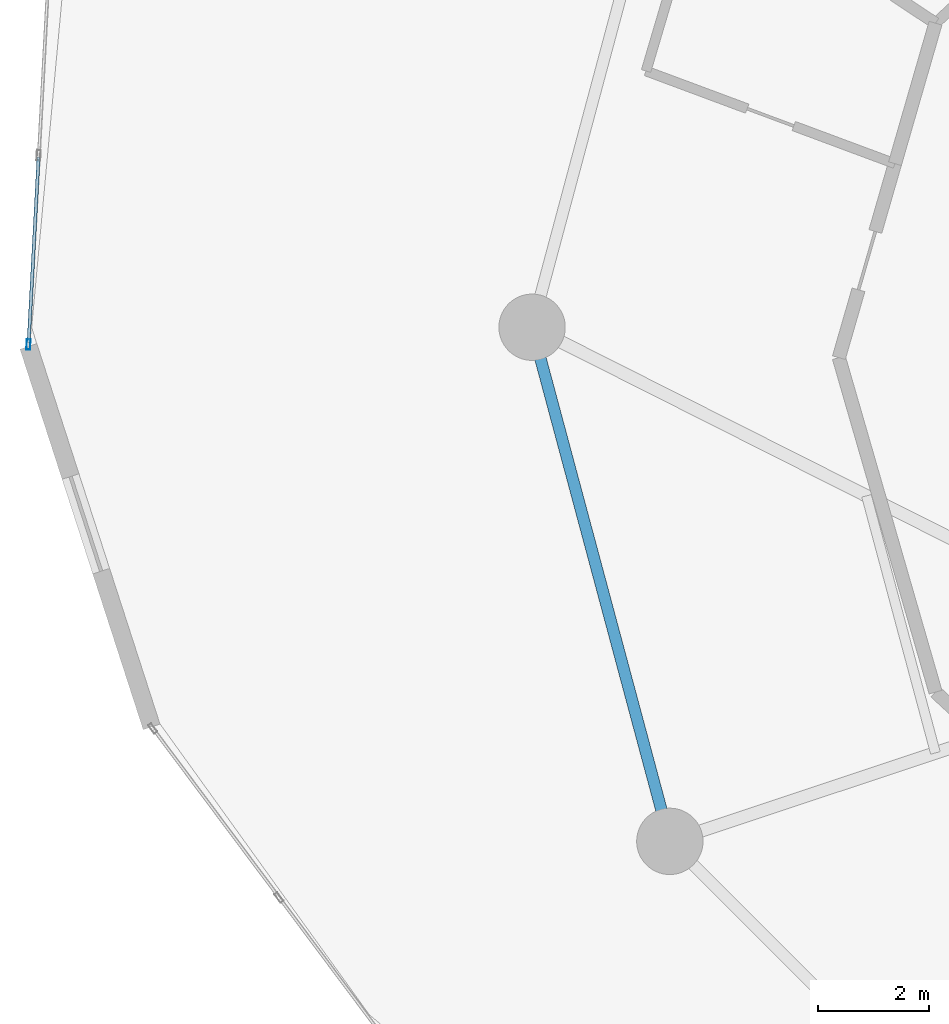
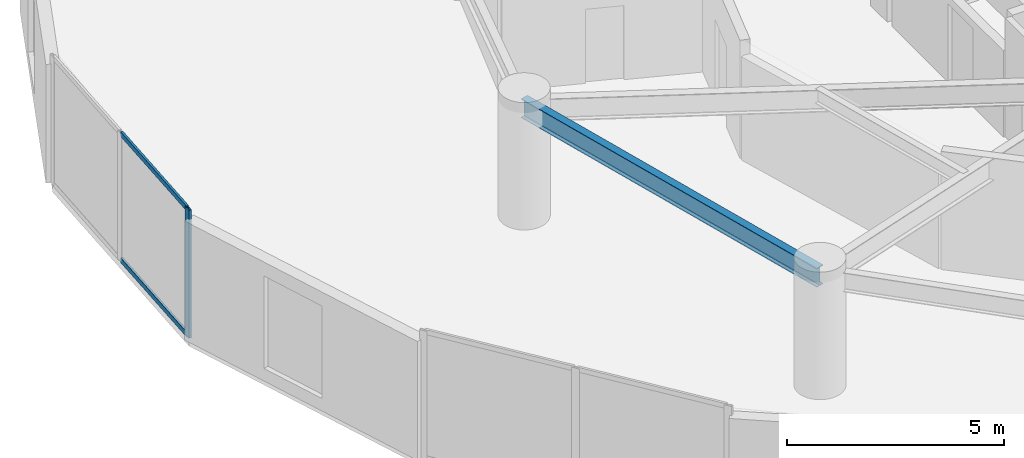
# One storey, part 6 of 25: 3 members, 1 beam, 1 element without a shape of its own.
"""IFC4 building model written with IfcOpenShell, lengths in metres."""

from ifc_helpers import new_model, si_unit, direction, frame, origin, origin_2d, place, context, subcontext, project, spatial, hollow_rectangle, i_section, extrude, source, transform, mapped, material, layer, layer_set, material_profile, profile_set, type_object, element, aggregate, save


model = new_model("IFC4")

# Units and contexts
model_context = context("Model", 3, precision=1e-05, world=origin(), true_north=direction((0.0, 1.0)))
body_context = subcontext(model_context, "Body", "Model", "MODEL_VIEW")
ifc_project = project(units=[si_unit("LENGTHUNIT", "METRE"), si_unit("AREAUNIT", "SQUARE_METRE"), si_unit("VOLUMEUNIT", "CUBIC_METRE"), si_unit("PLANEANGLEUNIT", "RADIAN"), si_unit("MASSUNIT", "GRAM", prefix="KILO")], contexts=[model_context])

# Site, building, storey
site_placement = place(None, origin())
site = spatial("IfcSite", under=ifc_project, at=site_placement, CompositionType="ELEMENT")
building_placement = place(site_placement, origin())
building = spatial("IfcBuilding", under=site, at=building_placement, Name="Solvirekh Grand Hotel", CompositionType="ELEMENT")
storey_placement = place(building_placement, frame((0.0, 0.0, 57.199951171875)))
storey = spatial("IfcBuildingStorey", under=building, at=storey_placement, Name="L13", CompositionType="ELEMENT", Elevation=57.199951171875)

# Beam
ifc_material_1 = material(Name="Steel S355", Category="steel")
ifc_material_profile_1 = material_profile(ifc_material_1, i_section(OverallWidth=0.208984375, OverallDepth=0.532958984375, WebThickness=0.010009765625, FlangeThickness=0.014892578125, FilletRadius=0.013916015625, at=origin_2d()), Name="W530X92")
ifc_profile_set_1 = profile_set([ifc_material_profile_1], Name="Steel S355")
beam_type = type_object("IfcBeamType", Name="Spandrel_Ring_W530", PredefinedType="SPANDREL", material=ifc_profile_set_1)
beam_placement = place(storey_placement, frame((-18.60009765625, 0.0, 3.072998046875), z_axis=(0.258842973314, -0.965919414426, 0.0), x_axis=(0.965919414426, 0.258842973314, 0.0)))
element("IfcBeam", 1, at=beam_placement, inside=storey, type_object=beam_type, Name="L13 perimeter spandrel beam 7", PredefinedType="SPANDREL", context=body_context, shape_type="SweptSolid", body=[
    extrude(i_section(OverallWidth=0.208984375, OverallDepth=0.532958984375, WebThickness=0.010009765625, FlangeThickness=0.014892578125, FilletRadius=0.013916015625, at=origin_2d()), origin(), (0.0, 0.0, 1.0), 9.628173828125),
])

# Curtain wall, members
ifc_material_2 = material(Name="Anodized Bronze Aluminium 6063-T6", Category="aluminium")
ifc_layer = layer(ifc_material_2, 0.18994140625)
ifc_layer_set = layer_set([ifc_layer], Name="Anodized Bronze Aluminium 6063-T6")
curtain_wall_type = type_object("IfcCurtainWallType", Name="CW_Sys2_LowZoneFlushBronzeCW", PredefinedType="NOTDEFINED", material=ifc_layer_set)
curtain_wall_placement = place(storey_placement, origin())
curtain_wall = element("IfcCurtainWall", 2, at=curtain_wall_placement, inside=storey, type_object=curtain_wall_type, Name="L13 unitised bronze-glass curtain wall CW-L13-C11", PredefinedType="NOTDEFINED")
ifc_material_profile_2 = material_profile(ifc_material_2, hollow_rectangle(XDim=0.070068359375, YDim=0.18994140625, WallThickness=0.0048828125, at=origin_2d()), Name="ALU RHS 190X70X5")
ifc_profile_set_2 = profile_set([ifc_material_profile_2], Name="Anodized Bronze Aluminium 6063-T6")
member_type_1 = type_object("IfcMemberType", Name="CWMullion_Sys2", PredefinedType="MULLION", material=ifc_profile_set_2)
shared_shape_1 = source(origin(), body_context, "Body", "SweptSolid", [
    extrude(hollow_rectangle(XDim=0.070068359375, YDim=0.18994140625, WallThickness=0.0048828125, at=origin_2d()), origin(), (0.0, 0.0, 1.0), 3.60009765625),
])
member_1_placement = place(storey_placement, frame((-27.709228515625, -0.31201171875, 0.0), z_axis=(0.0, 0.0, 1.0), x_axis=(0.998556123258, -0.053718420521, 0.0)))
member_1 = element("IfcMember", 3, at=member_1_placement, type_object=member_type_1, Name="U02 mullion 3", PredefinedType="MULLION", context=body_context, shape_type="MappedRepresentation", body=[
    mapped(shared_shape_1, transform((0.0, 0.0, 0.0), x_axis=(1.0, 0.0, 0.0), y_axis=(0.0, 1.0, 0.0), z_axis=(0.0, 0.0, 1.0), scale=1.0)),
])
ifc_material_profile_3 = material_profile(ifc_material_2, hollow_rectangle(XDim=0.06005859375, YDim=0.135009765625, WallThickness=0.00390625, at=origin_2d()), Name="ALU RHS 135X60X4")
ifc_profile_set_3 = profile_set([ifc_material_profile_3], Name="Anodized Bronze Aluminium 6063-T6")
member_type_2 = type_object("IfcMemberType", Name="CWTransom_Sys2", PredefinedType="USERDEFINED", material=ifc_profile_set_3)
shared_shape_2 = source(origin(), body_context, "Body", "SweptSolid", [
    extrude(hollow_rectangle(XDim=0.06005859375, YDim=0.135009765625, WallThickness=0.00390625, at=origin_2d()), origin(), (0.0, 0.0, 1.0), 3.357421875),
])
member_2_placement = place(storey_placement, frame((-27.52685546875, 3.075439453125, 0.030029296875), z_axis=(-0.053738143813, -0.998555062027, 0.0), x_axis=(0.998555062027, -0.053738143813, 0.0)))
member_2 = element("IfcMember", 4, at=member_2_placement, type_object=member_type_2, Name="U02 transom 2.1", ObjectType="TRANSOM", PredefinedType="USERDEFINED", context=body_context, shape_type="MappedRepresentation", body=[
    mapped(shared_shape_2, transform((0.0, 0.0, 0.0), x_axis=(1.0, 0.0, 0.0), y_axis=(0.0, 1.0, 0.0), z_axis=(0.0, 0.0, 1.0), scale=1.0)),
])
member_3_placement = place(storey_placement, frame((-27.52685546875, 3.075439453125, 3.570068359375), z_axis=(-0.053738143813, -0.998555062027, 0.0), x_axis=(0.998555062027, -0.053738143813, 0.0)))
member_3 = element("IfcMember", 5, at=member_3_placement, type_object=member_type_2, Name="U02 transom 2.2", ObjectType="TRANSOM", PredefinedType="USERDEFINED", context=body_context, shape_type="MappedRepresentation", body=[
    mapped(shared_shape_2, transform((0.0, 0.0, 0.0), x_axis=(1.0, 0.0, 0.0), y_axis=(0.0, 1.0, 0.0), z_axis=(0.0, 0.0, 1.0), scale=1.0)),
])
aggregate(curtain_wall, [member_1, member_2, member_3])

save(model, "model.ifc")
